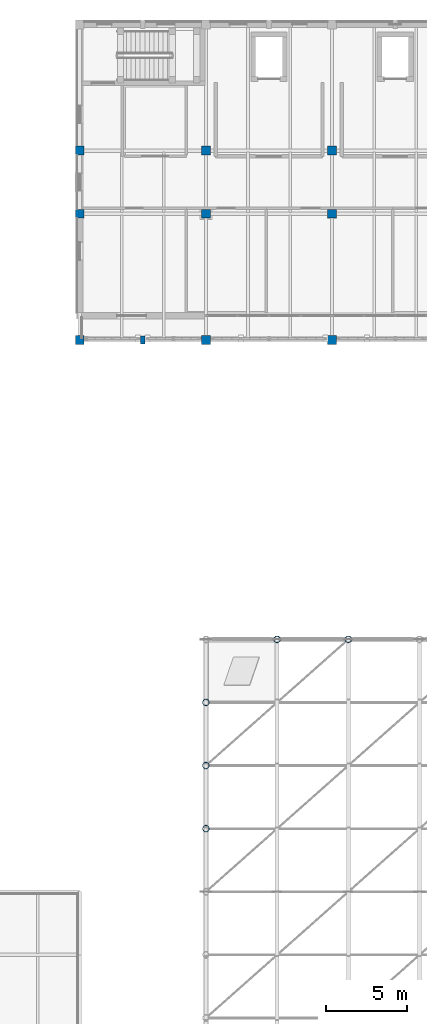
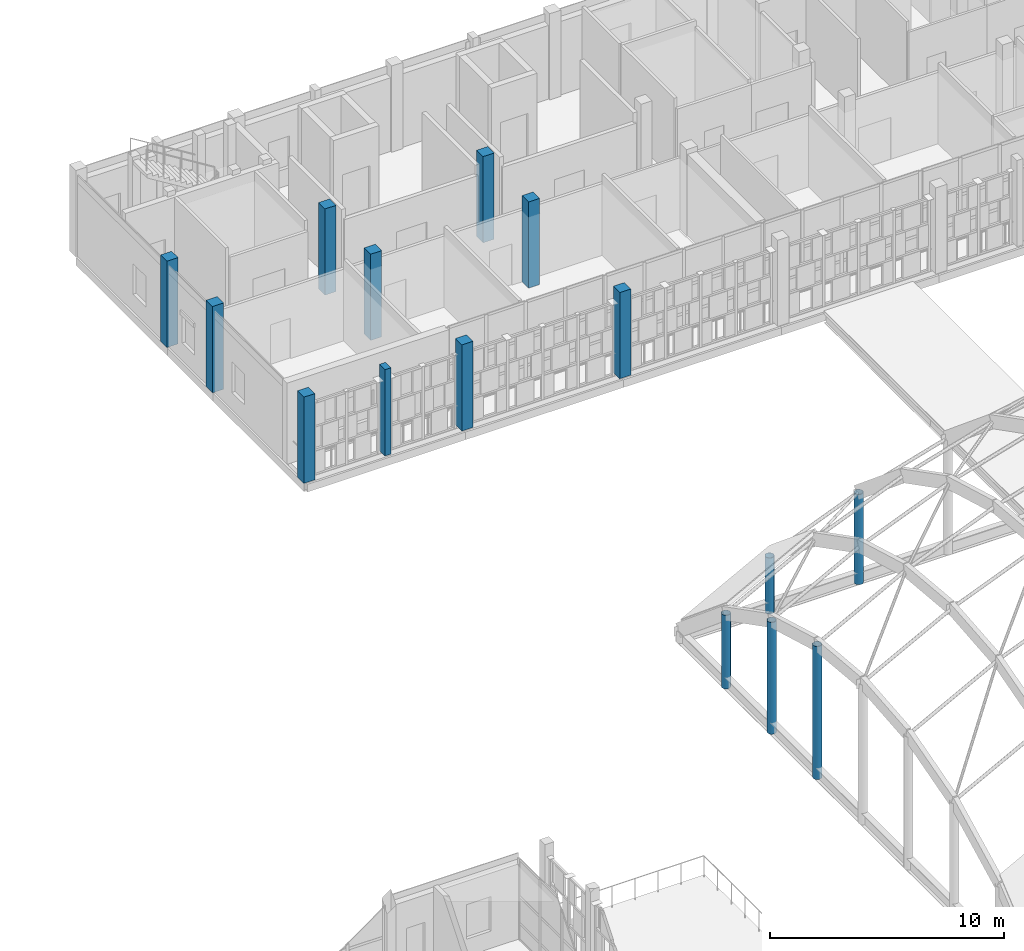
# One storey, part 7 of 119: 15 columns.
"""IFC4 building model written with IfcOpenShell, lengths in metres."""

from ifc_helpers import new_model, si_unit, direction, frame, origin, origin_2d, place, context, subcontext, project, spatial, rectangle, hollow_circle, extrude, material, material_profile, profile_set, type_object, element, save


model = new_model("IFC4")

# Units and contexts
model_context = context("Model", 3, precision=1e-05, world=origin(), true_north=direction((0.0, 1.0)))
body_context = subcontext(model_context, "Body", "Model", "MODEL_VIEW")
ifc_project = project(units=[si_unit("LENGTHUNIT", "METRE"), si_unit("AREAUNIT", "SQUARE_METRE"), si_unit("VOLUMEUNIT", "CUBIC_METRE"), si_unit("PLANEANGLEUNIT", "RADIAN"), si_unit("MASSUNIT", "GRAM", prefix="KILO")], contexts=[model_context])

# Site, building, storey
site_placement = place(None, origin())
site = spatial("IfcSite", under=ifc_project, at=site_placement, CompositionType="ELEMENT")
building_placement = place(site_placement, origin())
building = spatial("IfcBuilding", under=site, at=building_placement, Name="Celorna Specialist Clinic", CompositionType="ELEMENT")
storey_placement = place(building_placement, frame((0.0, 0.0, 9.60009765625)))
storey = spatial("IfcBuildingStorey", under=building, at=storey_placement, Name="L02", CompositionType="ELEMENT", Elevation=9.60009765625)

# Columns
ifc_material_1 = material(Name="Concrete C35/45", Category="concrete")
ifc_material_profile_1 = material_profile(ifc_material_1, rectangle(XDim=0.550048828125, YDim=0.550048828125, at=origin_2d()), Name="RC 550x550")
ifc_profile_set_1 = profile_set([ifc_material_profile_1], Name="Concrete C35/45")
column_type_1 = type_object("IfcColumnType", Name="CT-05", PredefinedType="COLUMN", material=ifc_profile_set_1)
for number, where, z_axis, x_axis, name in (
    (1, (46.800048828125, 96.5, 0.0), (0.0, 0.0, 1.0), (1.0, 0.0, 0.0), "Column CT-05 L02 X07/YR"),
    (2, (46.800048828125, 104.300048828125, 0.0), (0.0, 0.0, 1.0), (1.0, 0.0, 0.0), "Column CT-05 L02 X07/YS"),
    (3, (46.800048828125, 108.199951171875, 0.0), (0.0, 0.0, 1.0), (1.0, 0.0, 0.0), "Column CT-05 L02 X07/YT"),
    (4, (54.60009765625, 96.5, 0.0), (0.0, 0.0, 1.0), (1.0, 0.0, 0.0), "Column CT-05 L02 X08/YR"),
    (5, (54.60009765625, 104.300048828125, 0.0), (0.0, 0.0, 1.0), (1.0, 0.0, 0.0), "Column CT-05 L02 X08/YS"),
    (6, (54.60009765625, 108.199951171875, 0.0), (0.0, 0.0, 1.0), (1.0, 0.0, 0.0), "Column CT-05 L02 X08/YT"),
    (7, (62.39990234375, 96.5, 0.0), (0.0, 0.0, 1.0), (1.0, 0.0, 0.0), "Column CT-05 L02 X09/YR"),
    (8, (62.39990234375, 104.300048828125, 0.0), (0.0, 0.0, 1.0), (1.0, 0.0, 0.0), "Column CT-05 L02 X09/YS"),
    (9, (62.39990234375, 108.199951171875, 0.0), (0.0, 0.0, 1.0), (1.0, 0.0, 0.0), "Column CT-05 L02 X09/YT"),
):
    element("IfcColumn", number, at=place(storey_placement, frame(where, z_axis=z_axis, x_axis=x_axis)), inside=storey, type_object=column_type_1, Name=name, PredefinedType="COLUMN", context=body_context, shape_type="SweptSolid", body=[
        extrude(rectangle(XDim=0.550048828125, YDim=0.550048828125, at=origin_2d()), origin(), (0.0, 0.0, 1.0), 4.5),
    ])
ifc_material_2 = material(Name="Steel S355", Category="steel")
ifc_material_profile_2 = material_profile(ifc_material_2, hollow_circle(Radius=0.203125, WallThickness=0.01611328125, at=origin_2d()), Name="CHS 406.4x16")
ifc_profile_set_2 = profile_set([ifc_material_profile_2], Name="Steel S355")
column_type_2 = type_object("IfcColumnType", Name="CT-12", PredefinedType="COLUMN", material=ifc_profile_set_2)
column_1_placement = place(storey_placement, frame((59.0, 78.0, 0.0), z_axis=(0.0, 0.0, 1.0), x_axis=(1.0, 0.0, 0.0)))
element("IfcColumn", 10, at=column_1_placement, inside=storey, type_object=column_type_2, Name="Column CT-12 L02 X09/YP", PredefinedType="COLUMN", context=body_context, shape_type="SweptSolid", body=[
    extrude(hollow_circle(Radius=0.203125, WallThickness=0.01611328125, at=origin_2d()), origin(), (0.0, 0.0, 1.0), 2.929443359375),
])
column_2_placement = place(storey_placement, frame((63.39990234375, 78.0, 0.0), z_axis=(0.0, 0.0, 1.0), x_axis=(1.0, 0.0, 0.0)))
element("IfcColumn", 11, at=column_2_placement, inside=storey, type_object=column_type_2, Name="Column CT-12 L02 X09/YP", PredefinedType="COLUMN", context=body_context, shape_type="SweptSolid", body=[
    extrude(hollow_circle(Radius=0.203125, WallThickness=0.01611328125, at=origin_2d()), origin(), (0.0, 0.0, 1.0), 4.705322265625),
])
column_3_placement = place(storey_placement, frame((54.60009765625, 66.300048828125, 0.0), z_axis=(0.0, 0.0, 1.0), x_axis=(1.0, 0.0, 0.0)))
element("IfcColumn", 12, at=column_3_placement, inside=storey, type_object=column_type_2, Name="Column CT-12 L02 X08/YM", PredefinedType="COLUMN", context=body_context, shape_type="SweptSolid", body=[
    extrude(hollow_circle(Radius=0.203125, WallThickness=0.01611328125, at=origin_2d()), origin(), (0.0, 0.0, 1.0), 6.9482421875),
])
column_4_placement = place(storey_placement, frame((54.60009765625, 70.199951171875, 0.0), z_axis=(0.0, 0.0, 1.0), x_axis=(1.0, 0.0, 0.0)))
element("IfcColumn", 13, at=column_4_placement, inside=storey, type_object=column_type_2, Name="Column CT-12 L02 X08/YN", PredefinedType="COLUMN", context=body_context, shape_type="SweptSolid", body=[
    extrude(hollow_circle(Radius=0.203125, WallThickness=0.01611328125, at=origin_2d()), origin(), (0.0, 0.0, 1.0), 5.840087890625),
])
column_5_placement = place(storey_placement, frame((54.60009765625, 74.10009765625, 0.0), z_axis=(0.0, 0.0, 1.0), x_axis=(1.0, 0.0, 0.0)))
element("IfcColumn", 14, at=column_5_placement, inside=storey, type_object=column_type_2, Name="Column CT-12 L02 X08/YN", PredefinedType="COLUMN", context=body_context, shape_type="SweptSolid", body=[
    extrude(hollow_circle(Radius=0.203125, WallThickness=0.01611328125, at=origin_2d()), origin(), (0.0, 0.0, 1.0), 3.8427734375),
])
ifc_material_3 = material(Name="Precast concrete C40/50", Category="concrete")
ifc_material_profile_3 = material_profile(ifc_material_3, rectangle(XDim=0.300048828125, YDim=0.47998046875, at=origin_2d()), Name="PILASTER 300x480")
ifc_profile_set_3 = profile_set([ifc_material_profile_3], Name="Precast concrete C40/50")
column_type_3 = type_object("IfcColumnType", Name="CT-17", PredefinedType="PILASTER", material=ifc_profile_set_3)
column_6_placement = place(storey_placement, frame((50.699951171875, 96.5, 0.0), z_axis=(0.0, 0.0, 1.0), x_axis=(1.0, 0.0, 0.0)))
element("IfcColumn", 15, at=column_6_placement, inside=storey, type_object=column_type_3, Name="Court veranda pilaster CT-17 L02 X08/YR", PredefinedType="PILASTER", context=body_context, shape_type="SweptSolid", body=[
    extrude(rectangle(XDim=0.300048828125, YDim=0.47998046875, at=origin_2d()), origin(), (0.0, 0.0, 1.0), 4.5),
])

save(model, "model.ifc")
